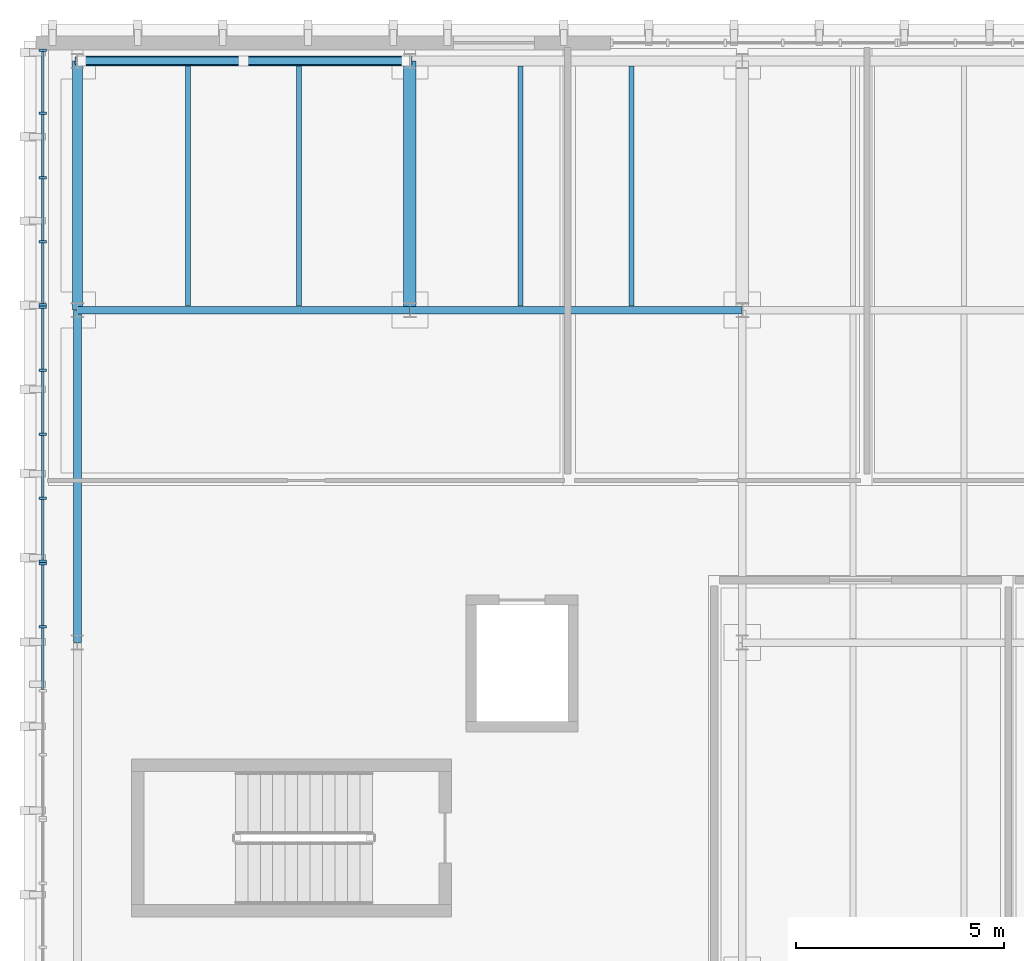
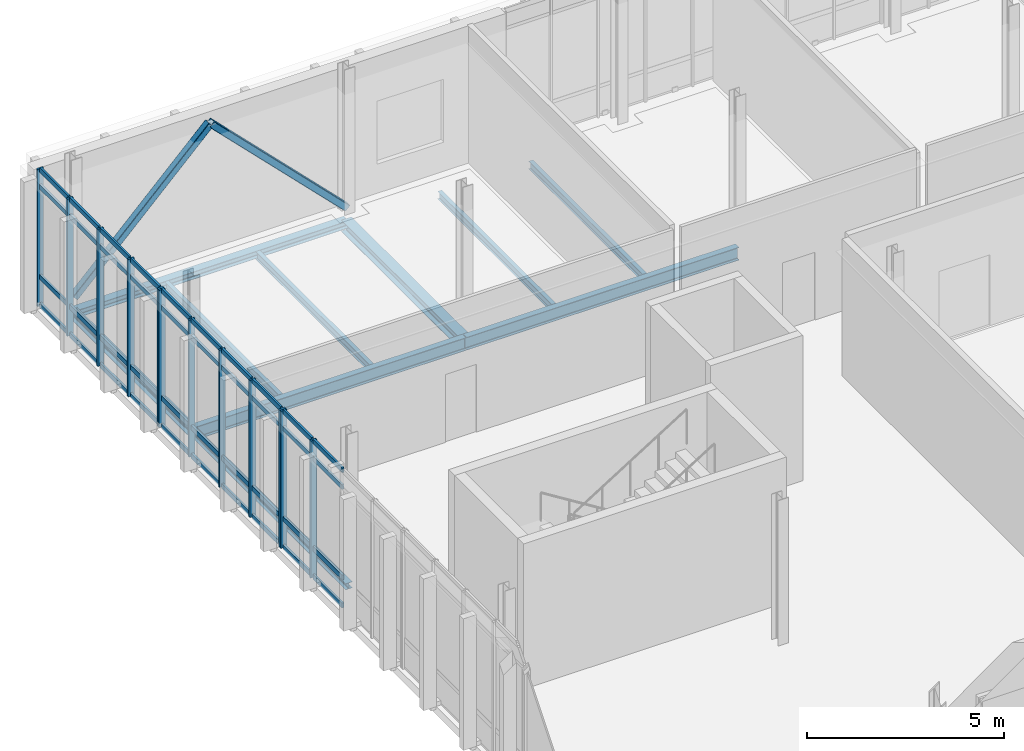
# One storey, part 35 of 86: 54 members, 10 beams, 3 elements without a shape of their own.
"""IFC4 building model written with IfcOpenShell, lengths in metres."""

from ifc_helpers import new_model, si_unit, direction, frame, origin, origin_2d, place, context, subcontext, project, spatial, rectangle, hollow_rectangle, i_section, extrude, material, material_profile, profile_set, type_object, element, aggregate, save


model = new_model("IFC4")

# Units and contexts
model_context = context("Model", 3, precision=1e-05, world=origin(), true_north=direction((0.0, 1.0)))
body_context = subcontext(model_context, "Body", "Model", "MODEL_VIEW")
ifc_project = project(units=[si_unit("LENGTHUNIT", "METRE"), si_unit("AREAUNIT", "SQUARE_METRE"), si_unit("VOLUMEUNIT", "CUBIC_METRE"), si_unit("PLANEANGLEUNIT", "RADIAN"), si_unit("MASSUNIT", "GRAM", prefix="KILO")], contexts=[model_context])

# Site, building, storey
site_placement = place(None, origin())
site = spatial("IfcSite", under=ifc_project, at=site_placement, CompositionType="ELEMENT")
building_placement = place(site_placement, origin())
building = spatial("IfcBuilding", under=site, at=building_placement, Name="Cymarion Research Institute", CompositionType="ELEMENT")
storey_placement = place(building_placement, frame((0.0, 0.0, 13.800048828125)))
storey = spatial("IfcBuildingStorey", under=building, at=storey_placement, Name="L03", CompositionType="ELEMENT", Elevation=13.800048828125)

# Curtain wall, members
ifc_material_1 = material(Name="Anodised aluminium unitised curtain wall with Low-E glazing", Category="aluminium")
curtain_wall_type = type_object("IfcCurtainWallType", Name="UNITISED CURTAIN WALL CW22 6180X4250", PredefinedType="NOTDEFINED", material=ifc_material_1)
curtain_wall_1_placement = place(storey_placement, origin())
curtain_wall_1 = element("IfcCurtainWall", 1, at=curtain_wall_1_placement, inside=storey, type_object=curtain_wall_type, Name="L03 V5 unitised curtain wall CW22 #164", PredefinedType="NOTDEFINED")
ifc_material_2 = material(Name="Anodised aluminium framing", Category="aluminium")
ifc_material_profile_1 = material_profile(ifc_material_2, rectangle(XDim=0.06005859375, YDim=0.179931640625, at=origin_2d()), Name="ALU MULLION 60x180")
ifc_profile_set_1 = profile_set([ifc_material_profile_1], Name="Anodised aluminium framing")
member_type_1 = type_object("IfcMemberType", Name="CURTAIN WALL MULLION ML01 60X180", PredefinedType="MULLION", material=ifc_profile_set_1)
member_1_placement = place(storey_placement, frame((5.77001953125, 115.748046875, 0.0), z_axis=(0.0, 0.0, 1.0), x_axis=(0.0, -1.0, 0.0)))
member_1 = element("IfcMember", 2, at=member_1_placement, type_object=member_type_1, Name="CW22 mullion 1", PredefinedType="MULLION", context=body_context, shape_type="SweptSolid", body=[
    extrude(rectangle(XDim=0.06005859375, YDim=0.179931640625, at=origin_2d()), origin(), (0.0, 0.0, 1.0), 4.25),
])
member_2_placement = place(storey_placement, frame((5.77001953125, 114.234130859375, 0.0), z_axis=(0.0, 0.0, 1.0), x_axis=(0.0, -1.0, 0.0)))
member_2 = element("IfcMember", 3, at=member_2_placement, type_object=member_type_1, Name="CW22 mullion 2", PredefinedType="MULLION", context=body_context, shape_type="SweptSolid", body=[
    extrude(rectangle(XDim=0.06005859375, YDim=0.179931640625, at=origin_2d()), origin(), (0.0, 0.0, 1.0), 4.25),
])
member_3_placement = place(storey_placement, frame((5.77001953125, 112.690185546875, 0.0), z_axis=(0.0, 0.0, 1.0), x_axis=(0.0, -1.0, 0.0)))
member_3 = element("IfcMember", 4, at=member_3_placement, type_object=member_type_1, Name="CW22 mullion 3", PredefinedType="MULLION", context=body_context, shape_type="SweptSolid", body=[
    extrude(rectangle(XDim=0.06005859375, YDim=0.179931640625, at=origin_2d()), origin(), (0.0, 0.0, 1.0), 4.25),
])
member_4_placement = place(storey_placement, frame((5.77001953125, 111.146240234375, 0.0), z_axis=(0.0, 0.0, 1.0), x_axis=(0.0, -1.0, 0.0)))
member_4 = element("IfcMember", 5, at=member_4_placement, type_object=member_type_1, Name="CW22 mullion 4", PredefinedType="MULLION", context=body_context, shape_type="SweptSolid", body=[
    extrude(rectangle(XDim=0.06005859375, YDim=0.179931640625, at=origin_2d()), origin(), (0.0, 0.0, 1.0), 4.25),
])
member_5_placement = place(storey_placement, frame((5.77001953125, 109.63232421875, 0.0), z_axis=(0.0, 0.0, 1.0), x_axis=(0.0, -1.0, 0.0)))
member_5 = element("IfcMember", 6, at=member_5_placement, type_object=member_type_1, Name="CW22 mullion 5", PredefinedType="MULLION", context=body_context, shape_type="SweptSolid", body=[
    extrude(rectangle(XDim=0.06005859375, YDim=0.179931640625, at=origin_2d()), origin(), (0.0, 0.0, 1.0), 4.25),
])

curtain_wall_2_placement = place(storey_placement, origin())
curtain_wall_2 = element("IfcCurtainWall", 7, at=curtain_wall_2_placement, inside=storey, type_object=curtain_wall_type, Name="L03 V5 unitised curtain wall CW22 #165", PredefinedType="NOTDEFINED")
member_6_placement = place(storey_placement, frame((5.77001953125, 109.572509765625, 0.0), z_axis=(0.0, 0.0, 1.0), x_axis=(0.0, -1.0, 0.0)))
member_6 = element("IfcMember", 8, at=member_6_placement, type_object=member_type_1, Name="CW22 mullion 1", PredefinedType="MULLION", context=body_context, shape_type="SweptSolid", body=[
    extrude(rectangle(XDim=0.06005859375, YDim=0.179931640625, at=origin_2d()), origin(), (0.0, 0.0, 1.0), 4.25),
])
member_7_placement = place(storey_placement, frame((5.77001953125, 108.05859375, 0.0), z_axis=(0.0, 0.0, 1.0), x_axis=(0.0, -1.0, 0.0)))
member_7 = element("IfcMember", 9, at=member_7_placement, type_object=member_type_1, Name="CW22 mullion 2", PredefinedType="MULLION", context=body_context, shape_type="SweptSolid", body=[
    extrude(rectangle(XDim=0.06005859375, YDim=0.179931640625, at=origin_2d()), origin(), (0.0, 0.0, 1.0), 4.25),
])
member_8_placement = place(storey_placement, frame((5.77001953125, 106.5146484375, 0.0), z_axis=(0.0, 0.0, 1.0), x_axis=(0.0, -1.0, 0.0)))
member_8 = element("IfcMember", 10, at=member_8_placement, type_object=member_type_1, Name="CW22 mullion 3", PredefinedType="MULLION", context=body_context, shape_type="SweptSolid", body=[
    extrude(rectangle(XDim=0.06005859375, YDim=0.179931640625, at=origin_2d()), origin(), (0.0, 0.0, 1.0), 4.25),
])
member_9_placement = place(storey_placement, frame((5.77001953125, 104.970703125, 0.0), z_axis=(0.0, 0.0, 1.0), x_axis=(0.0, -1.0, 0.0)))
member_9 = element("IfcMember", 11, at=member_9_placement, type_object=member_type_1, Name="CW22 mullion 4", PredefinedType="MULLION", context=body_context, shape_type="SweptSolid", body=[
    extrude(rectangle(XDim=0.06005859375, YDim=0.179931640625, at=origin_2d()), origin(), (0.0, 0.0, 1.0), 4.25),
])
member_10_placement = place(storey_placement, frame((5.77001953125, 103.456787109375, 0.0), z_axis=(0.0, 0.0, 1.0), x_axis=(0.0, -1.0, 0.0)))
member_10 = element("IfcMember", 12, at=member_10_placement, type_object=member_type_1, Name="CW22 mullion 5", PredefinedType="MULLION", context=body_context, shape_type="SweptSolid", body=[
    extrude(rectangle(XDim=0.06005859375, YDim=0.179931640625, at=origin_2d()), origin(), (0.0, 0.0, 1.0), 4.25),
])

curtain_wall_3_placement = place(storey_placement, origin())
curtain_wall_3 = element("IfcCurtainWall", 13, at=curtain_wall_3_placement, inside=storey, type_object=curtain_wall_type, Name="L03 V5 unitised curtain wall CW22 #166", PredefinedType="NOTDEFINED")
member_11_placement = place(storey_placement, frame((5.77001953125, 103.396728515625, 0.0), z_axis=(0.0, 0.0, 1.0), x_axis=(0.0, -1.0, 0.0)))
member_11 = element("IfcMember", 14, at=member_11_placement, type_object=member_type_1, Name="CW22 mullion 1", PredefinedType="MULLION", context=body_context, shape_type="SweptSolid", body=[
    extrude(rectangle(XDim=0.06005859375, YDim=0.179931640625, at=origin_2d()), origin(), (0.0, 0.0, 1.0), 4.25),
])
member_12_placement = place(storey_placement, frame((5.77001953125, 101.8828125, 0.0), z_axis=(0.0, 0.0, 1.0), x_axis=(0.0, -1.0, 0.0)))
member_12 = element("IfcMember", 15, at=member_12_placement, type_object=member_type_1, Name="CW22 mullion 2", PredefinedType="MULLION", context=body_context, shape_type="SweptSolid", body=[
    extrude(rectangle(XDim=0.06005859375, YDim=0.179931640625, at=origin_2d()), origin(), (0.0, 0.0, 1.0), 4.25),
])

# Member
ifc_material_profile_2 = material_profile(ifc_material_2, rectangle(XDim=0.06005859375, YDim=0.14990234375, at=origin_2d()), Name="ALU TRANSOM 60x150")
ifc_profile_set_2 = profile_set([ifc_material_profile_2], Name="Anodised aluminium framing")
member_type_2 = type_object("IfcMemberType", Name="CURTAIN WALL TRANSOM TR01 60X150", PredefinedType="USERDEFINED", material=ifc_profile_set_2)
member_13_placement = place(storey_placement, frame((5.77001953125, 115.718017578125, 0.030029296875), z_axis=(0.0, -1.0, 0.0), x_axis=(1.0, 0.0, 0.0)))
member_13 = element("IfcMember", 16, at=member_13_placement, type_object=member_type_2, Name="CW22 transom 1.1", ObjectType="TRANSOM", PredefinedType="USERDEFINED", context=body_context, shape_type="SweptSolid", body=[
    extrude(rectangle(XDim=0.06005859375, YDim=0.14990234375, at=origin_2d()), origin(), (0.0, 0.0, 1.0), 1.453857421875),
])

member_14_placement = place(storey_placement, frame((5.77001953125, 115.718017578125, 0.89990234375), z_axis=(0.0, -1.0, 0.0), x_axis=(1.0, 0.0, 0.0)))
member_14 = element("IfcMember", 17, at=member_14_placement, type_object=member_type_2, Name="CW22 transom 1.2", ObjectType="TRANSOM", PredefinedType="USERDEFINED", context=body_context, shape_type="SweptSolid", body=[
    extrude(rectangle(XDim=0.06005859375, YDim=0.14990234375, at=origin_2d()), origin(), (0.0, 0.0, 1.0), 1.453857421875),
])

member_15_placement = place(storey_placement, frame((5.77001953125, 115.718017578125, 3.699951171875), z_axis=(0.0, -1.0, 0.0), x_axis=(1.0, 0.0, 0.0)))
member_15 = element("IfcMember", 18, at=member_15_placement, type_object=member_type_2, Name="CW22 transom 1.3", ObjectType="TRANSOM", PredefinedType="USERDEFINED", context=body_context, shape_type="SweptSolid", body=[
    extrude(rectangle(XDim=0.06005859375, YDim=0.14990234375, at=origin_2d()), origin(), (0.0, 0.0, 1.0), 1.453857421875),
])

member_16_placement = place(storey_placement, frame((5.77001953125, 115.718017578125, 4.219970703125), z_axis=(0.0, -1.0, 0.0), x_axis=(1.0, 0.0, 0.0)))
member_16 = element("IfcMember", 19, at=member_16_placement, type_object=member_type_2, Name="CW22 transom 1.4", ObjectType="TRANSOM", PredefinedType="USERDEFINED", context=body_context, shape_type="SweptSolid", body=[
    extrude(rectangle(XDim=0.06005859375, YDim=0.14990234375, at=origin_2d()), origin(), (0.0, 0.0, 1.0), 1.453857421875),
])

member_17_placement = place(storey_placement, frame((5.77001953125, 114.2041015625, 0.030029296875), z_axis=(0.0, -1.0, 0.0), x_axis=(1.0, 0.0, 0.0)))
member_17 = element("IfcMember", 20, at=member_17_placement, type_object=member_type_2, Name="CW22 transom 2.1", ObjectType="TRANSOM", PredefinedType="USERDEFINED", context=body_context, shape_type="SweptSolid", body=[
    extrude(rectangle(XDim=0.06005859375, YDim=0.14990234375, at=origin_2d()), origin(), (0.0, 0.0, 1.0), 1.48388671875),
])

member_18_placement = place(storey_placement, frame((5.77001953125, 114.2041015625, 0.89990234375), z_axis=(0.0, -1.0, 0.0), x_axis=(1.0, 0.0, 0.0)))
member_18 = element("IfcMember", 21, at=member_18_placement, type_object=member_type_2, Name="CW22 transom 2.2", ObjectType="TRANSOM", PredefinedType="USERDEFINED", context=body_context, shape_type="SweptSolid", body=[
    extrude(rectangle(XDim=0.06005859375, YDim=0.14990234375, at=origin_2d()), origin(), (0.0, 0.0, 1.0), 1.48388671875),
])

member_19_placement = place(storey_placement, frame((5.77001953125, 114.2041015625, 3.699951171875), z_axis=(0.0, -1.0, 0.0), x_axis=(1.0, 0.0, 0.0)))
member_19 = element("IfcMember", 22, at=member_19_placement, type_object=member_type_2, Name="CW22 transom 2.3", ObjectType="TRANSOM", PredefinedType="USERDEFINED", context=body_context, shape_type="SweptSolid", body=[
    extrude(rectangle(XDim=0.06005859375, YDim=0.14990234375, at=origin_2d()), origin(), (0.0, 0.0, 1.0), 1.48388671875),
])

member_20_placement = place(storey_placement, frame((5.77001953125, 114.2041015625, 4.219970703125), z_axis=(0.0, -1.0, 0.0), x_axis=(1.0, 0.0, 0.0)))
member_20 = element("IfcMember", 23, at=member_20_placement, type_object=member_type_2, Name="CW22 transom 2.4", ObjectType="TRANSOM", PredefinedType="USERDEFINED", context=body_context, shape_type="SweptSolid", body=[
    extrude(rectangle(XDim=0.06005859375, YDim=0.14990234375, at=origin_2d()), origin(), (0.0, 0.0, 1.0), 1.48388671875),
])

member_21_placement = place(storey_placement, frame((5.77001953125, 112.66015625, 0.030029296875), z_axis=(0.0, -1.0, 0.0), x_axis=(1.0, 0.0, 0.0)))
member_21 = element("IfcMember", 24, at=member_21_placement, type_object=member_type_2, Name="CW22 transom 3.1", ObjectType="TRANSOM", PredefinedType="USERDEFINED", context=body_context, shape_type="SweptSolid", body=[
    extrude(rectangle(XDim=0.06005859375, YDim=0.14990234375, at=origin_2d()), origin(), (0.0, 0.0, 1.0), 1.48388671875),
])

member_22_placement = place(storey_placement, frame((5.77001953125, 112.66015625, 0.89990234375), z_axis=(0.0, -1.0, 0.0), x_axis=(1.0, 0.0, 0.0)))
member_22 = element("IfcMember", 25, at=member_22_placement, type_object=member_type_2, Name="CW22 transom 3.2", ObjectType="TRANSOM", PredefinedType="USERDEFINED", context=body_context, shape_type="SweptSolid", body=[
    extrude(rectangle(XDim=0.06005859375, YDim=0.14990234375, at=origin_2d()), origin(), (0.0, 0.0, 1.0), 1.48388671875),
])

member_23_placement = place(storey_placement, frame((5.77001953125, 112.66015625, 3.699951171875), z_axis=(0.0, -1.0, 0.0), x_axis=(1.0, 0.0, 0.0)))
member_23 = element("IfcMember", 26, at=member_23_placement, type_object=member_type_2, Name="CW22 transom 3.3", ObjectType="TRANSOM", PredefinedType="USERDEFINED", context=body_context, shape_type="SweptSolid", body=[
    extrude(rectangle(XDim=0.06005859375, YDim=0.14990234375, at=origin_2d()), origin(), (0.0, 0.0, 1.0), 1.48388671875),
])

member_24_placement = place(storey_placement, frame((5.77001953125, 112.66015625, 4.219970703125), z_axis=(0.0, -1.0, 0.0), x_axis=(1.0, 0.0, 0.0)))
member_24 = element("IfcMember", 27, at=member_24_placement, type_object=member_type_2, Name="CW22 transom 3.4", ObjectType="TRANSOM", PredefinedType="USERDEFINED", context=body_context, shape_type="SweptSolid", body=[
    extrude(rectangle(XDim=0.06005859375, YDim=0.14990234375, at=origin_2d()), origin(), (0.0, 0.0, 1.0), 1.48388671875),
])

member_25_placement = place(storey_placement, frame((5.77001953125, 111.1162109375, 0.030029296875), z_axis=(0.0, -1.0, 0.0), x_axis=(1.0, 0.0, 0.0)))
member_25 = element("IfcMember", 28, at=member_25_placement, type_object=member_type_2, Name="CW22 transom 4.1", ObjectType="TRANSOM", PredefinedType="USERDEFINED", context=body_context, shape_type="SweptSolid", body=[
    extrude(rectangle(XDim=0.06005859375, YDim=0.14990234375, at=origin_2d()), origin(), (0.0, 0.0, 1.0), 1.453857421875),
])

member_26_placement = place(storey_placement, frame((5.77001953125, 111.1162109375, 0.89990234375), z_axis=(0.0, -1.0, 0.0), x_axis=(1.0, 0.0, 0.0)))
member_26 = element("IfcMember", 29, at=member_26_placement, type_object=member_type_2, Name="CW22 transom 4.2", ObjectType="TRANSOM", PredefinedType="USERDEFINED", context=body_context, shape_type="SweptSolid", body=[
    extrude(rectangle(XDim=0.06005859375, YDim=0.14990234375, at=origin_2d()), origin(), (0.0, 0.0, 1.0), 1.453857421875),
])

member_27_placement = place(storey_placement, frame((5.77001953125, 111.1162109375, 3.699951171875), z_axis=(0.0, -1.0, 0.0), x_axis=(1.0, 0.0, 0.0)))
member_27 = element("IfcMember", 30, at=member_27_placement, type_object=member_type_2, Name="CW22 transom 4.3", ObjectType="TRANSOM", PredefinedType="USERDEFINED", context=body_context, shape_type="SweptSolid", body=[
    extrude(rectangle(XDim=0.06005859375, YDim=0.14990234375, at=origin_2d()), origin(), (0.0, 0.0, 1.0), 1.453857421875),
])

member_28_placement = place(storey_placement, frame((5.77001953125, 111.1162109375, 4.219970703125), z_axis=(0.0, -1.0, 0.0), x_axis=(1.0, 0.0, 0.0)))
member_28 = element("IfcMember", 31, at=member_28_placement, type_object=member_type_2, Name="CW22 transom 4.4", ObjectType="TRANSOM", PredefinedType="USERDEFINED", context=body_context, shape_type="SweptSolid", body=[
    extrude(rectangle(XDim=0.06005859375, YDim=0.14990234375, at=origin_2d()), origin(), (0.0, 0.0, 1.0), 1.453857421875),
])

aggregate(curtain_wall_1, [member_1, member_2, member_3, member_4, member_5, member_13, member_14, member_15, member_16, member_17, member_18, member_19, member_20, member_21, member_22, member_23, member_24, member_25, member_26, member_27, member_28])

member_29_placement = place(storey_placement, frame((5.77001953125, 109.54248046875, 0.030029296875), z_axis=(0.0, -1.0, 0.0), x_axis=(1.0, 0.0, 0.0)))
member_29 = element("IfcMember", 32, at=member_29_placement, type_object=member_type_2, Name="CW22 transom 1.1", ObjectType="TRANSOM", PredefinedType="USERDEFINED", context=body_context, shape_type="SweptSolid", body=[
    extrude(rectangle(XDim=0.06005859375, YDim=0.14990234375, at=origin_2d()), origin(), (0.0, 0.0, 1.0), 1.4541015625),
])

member_30_placement = place(storey_placement, frame((5.77001953125, 109.54248046875, 0.89990234375), z_axis=(0.0, -1.0, 0.0), x_axis=(1.0, 0.0, 0.0)))
member_30 = element("IfcMember", 33, at=member_30_placement, type_object=member_type_2, Name="CW22 transom 1.2", ObjectType="TRANSOM", PredefinedType="USERDEFINED", context=body_context, shape_type="SweptSolid", body=[
    extrude(rectangle(XDim=0.06005859375, YDim=0.14990234375, at=origin_2d()), origin(), (0.0, 0.0, 1.0), 1.4541015625),
])

member_31_placement = place(storey_placement, frame((5.77001953125, 109.54248046875, 3.699951171875), z_axis=(0.0, -1.0, 0.0), x_axis=(1.0, 0.0, 0.0)))
member_31 = element("IfcMember", 34, at=member_31_placement, type_object=member_type_2, Name="CW22 transom 1.3", ObjectType="TRANSOM", PredefinedType="USERDEFINED", context=body_context, shape_type="SweptSolid", body=[
    extrude(rectangle(XDim=0.06005859375, YDim=0.14990234375, at=origin_2d()), origin(), (0.0, 0.0, 1.0), 1.4541015625),
])

member_32_placement = place(storey_placement, frame((5.77001953125, 109.54248046875, 4.219970703125), z_axis=(0.0, -1.0, 0.0), x_axis=(1.0, 0.0, 0.0)))
member_32 = element("IfcMember", 35, at=member_32_placement, type_object=member_type_2, Name="CW22 transom 1.4", ObjectType="TRANSOM", PredefinedType="USERDEFINED", context=body_context, shape_type="SweptSolid", body=[
    extrude(rectangle(XDim=0.06005859375, YDim=0.14990234375, at=origin_2d()), origin(), (0.0, 0.0, 1.0), 1.4541015625),
])

member_33_placement = place(storey_placement, frame((5.77001953125, 108.028564453125, 0.030029296875), z_axis=(0.0, -1.0, 0.0), x_axis=(1.0, 0.0, 0.0)))
member_33 = element("IfcMember", 36, at=member_33_placement, type_object=member_type_2, Name="CW22 transom 2.1", ObjectType="TRANSOM", PredefinedType="USERDEFINED", context=body_context, shape_type="SweptSolid", body=[
    extrude(rectangle(XDim=0.06005859375, YDim=0.14990234375, at=origin_2d()), origin(), (0.0, 0.0, 1.0), 1.48388671875),
])

member_34_placement = place(storey_placement, frame((5.77001953125, 108.028564453125, 0.89990234375), z_axis=(0.0, -1.0, 0.0), x_axis=(1.0, 0.0, 0.0)))
member_34 = element("IfcMember", 37, at=member_34_placement, type_object=member_type_2, Name="CW22 transom 2.2", ObjectType="TRANSOM", PredefinedType="USERDEFINED", context=body_context, shape_type="SweptSolid", body=[
    extrude(rectangle(XDim=0.06005859375, YDim=0.14990234375, at=origin_2d()), origin(), (0.0, 0.0, 1.0), 1.48388671875),
])

member_35_placement = place(storey_placement, frame((5.77001953125, 108.028564453125, 3.699951171875), z_axis=(0.0, -1.0, 0.0), x_axis=(1.0, 0.0, 0.0)))
member_35 = element("IfcMember", 38, at=member_35_placement, type_object=member_type_2, Name="CW22 transom 2.3", ObjectType="TRANSOM", PredefinedType="USERDEFINED", context=body_context, shape_type="SweptSolid", body=[
    extrude(rectangle(XDim=0.06005859375, YDim=0.14990234375, at=origin_2d()), origin(), (0.0, 0.0, 1.0), 1.48388671875),
])

member_36_placement = place(storey_placement, frame((5.77001953125, 108.028564453125, 4.219970703125), z_axis=(0.0, -1.0, 0.0), x_axis=(1.0, 0.0, 0.0)))
member_36 = element("IfcMember", 39, at=member_36_placement, type_object=member_type_2, Name="CW22 transom 2.4", ObjectType="TRANSOM", PredefinedType="USERDEFINED", context=body_context, shape_type="SweptSolid", body=[
    extrude(rectangle(XDim=0.06005859375, YDim=0.14990234375, at=origin_2d()), origin(), (0.0, 0.0, 1.0), 1.48388671875),
])

member_37_placement = place(storey_placement, frame((5.77001953125, 106.484619140625, 0.030029296875), z_axis=(0.0, -1.0, 0.0), x_axis=(1.0, 0.0, 0.0)))
member_37 = element("IfcMember", 40, at=member_37_placement, type_object=member_type_2, Name="CW22 transom 3.1", ObjectType="TRANSOM", PredefinedType="USERDEFINED", context=body_context, shape_type="SweptSolid", body=[
    extrude(rectangle(XDim=0.06005859375, YDim=0.14990234375, at=origin_2d()), origin(), (0.0, 0.0, 1.0), 1.48388671875),
])

member_38_placement = place(storey_placement, frame((5.77001953125, 106.484619140625, 0.89990234375), z_axis=(0.0, -1.0, 0.0), x_axis=(1.0, 0.0, 0.0)))
member_38 = element("IfcMember", 41, at=member_38_placement, type_object=member_type_2, Name="CW22 transom 3.2", ObjectType="TRANSOM", PredefinedType="USERDEFINED", context=body_context, shape_type="SweptSolid", body=[
    extrude(rectangle(XDim=0.06005859375, YDim=0.14990234375, at=origin_2d()), origin(), (0.0, 0.0, 1.0), 1.48388671875),
])

member_39_placement = place(storey_placement, frame((5.77001953125, 106.484619140625, 3.699951171875), z_axis=(0.0, -1.0, 0.0), x_axis=(1.0, 0.0, 0.0)))
member_39 = element("IfcMember", 42, at=member_39_placement, type_object=member_type_2, Name="CW22 transom 3.3", ObjectType="TRANSOM", PredefinedType="USERDEFINED", context=body_context, shape_type="SweptSolid", body=[
    extrude(rectangle(XDim=0.06005859375, YDim=0.14990234375, at=origin_2d()), origin(), (0.0, 0.0, 1.0), 1.48388671875),
])

member_40_placement = place(storey_placement, frame((5.77001953125, 106.484619140625, 4.219970703125), z_axis=(0.0, -1.0, 0.0), x_axis=(1.0, 0.0, 0.0)))
member_40 = element("IfcMember", 43, at=member_40_placement, type_object=member_type_2, Name="CW22 transom 3.4", ObjectType="TRANSOM", PredefinedType="USERDEFINED", context=body_context, shape_type="SweptSolid", body=[
    extrude(rectangle(XDim=0.06005859375, YDim=0.14990234375, at=origin_2d()), origin(), (0.0, 0.0, 1.0), 1.48388671875),
])

member_41_placement = place(storey_placement, frame((5.77001953125, 104.940673828125, 0.030029296875), z_axis=(0.0, -1.0, 0.0), x_axis=(1.0, 0.0, 0.0)))
member_41 = element("IfcMember", 44, at=member_41_placement, type_object=member_type_2, Name="CW22 transom 4.1", ObjectType="TRANSOM", PredefinedType="USERDEFINED", context=body_context, shape_type="SweptSolid", body=[
    extrude(rectangle(XDim=0.06005859375, YDim=0.14990234375, at=origin_2d()), origin(), (0.0, 0.0, 1.0), 1.453857421875),
])

member_42_placement = place(storey_placement, frame((5.77001953125, 104.940673828125, 0.89990234375), z_axis=(0.0, -1.0, 0.0), x_axis=(1.0, 0.0, 0.0)))
member_42 = element("IfcMember", 45, at=member_42_placement, type_object=member_type_2, Name="CW22 transom 4.2", ObjectType="TRANSOM", PredefinedType="USERDEFINED", context=body_context, shape_type="SweptSolid", body=[
    extrude(rectangle(XDim=0.06005859375, YDim=0.14990234375, at=origin_2d()), origin(), (0.0, 0.0, 1.0), 1.453857421875),
])

member_43_placement = place(storey_placement, frame((5.77001953125, 104.940673828125, 3.699951171875), z_axis=(0.0, -1.0, 0.0), x_axis=(1.0, 0.0, 0.0)))
member_43 = element("IfcMember", 46, at=member_43_placement, type_object=member_type_2, Name="CW22 transom 4.3", ObjectType="TRANSOM", PredefinedType="USERDEFINED", context=body_context, shape_type="SweptSolid", body=[
    extrude(rectangle(XDim=0.06005859375, YDim=0.14990234375, at=origin_2d()), origin(), (0.0, 0.0, 1.0), 1.453857421875),
])

member_44_placement = place(storey_placement, frame((5.77001953125, 104.940673828125, 4.219970703125), z_axis=(0.0, -1.0, 0.0), x_axis=(1.0, 0.0, 0.0)))
member_44 = element("IfcMember", 47, at=member_44_placement, type_object=member_type_2, Name="CW22 transom 4.4", ObjectType="TRANSOM", PredefinedType="USERDEFINED", context=body_context, shape_type="SweptSolid", body=[
    extrude(rectangle(XDim=0.06005859375, YDim=0.14990234375, at=origin_2d()), origin(), (0.0, 0.0, 1.0), 1.453857421875),
])

aggregate(curtain_wall_2, [member_6, member_7, member_8, member_9, member_10, member_29, member_30, member_31, member_32, member_33, member_34, member_35, member_36, member_37, member_38, member_39, member_40, member_41, member_42, member_43, member_44])

member_45_placement = place(storey_placement, frame((5.77001953125, 103.36669921875, 0.030029296875), z_axis=(0.0, -1.0, 0.0), x_axis=(1.0, 0.0, 0.0)))
member_45 = element("IfcMember", 48, at=member_45_placement, type_object=member_type_2, Name="CW22 transom 1.1", ObjectType="TRANSOM", PredefinedType="USERDEFINED", context=body_context, shape_type="SweptSolid", body=[
    extrude(rectangle(XDim=0.06005859375, YDim=0.14990234375, at=origin_2d()), origin(), (0.0, 0.0, 1.0), 1.453857421875),
])

member_46_placement = place(storey_placement, frame((5.77001953125, 103.36669921875, 0.89990234375), z_axis=(0.0, -1.0, 0.0), x_axis=(1.0, 0.0, 0.0)))
member_46 = element("IfcMember", 49, at=member_46_placement, type_object=member_type_2, Name="CW22 transom 1.2", ObjectType="TRANSOM", PredefinedType="USERDEFINED", context=body_context, shape_type="SweptSolid", body=[
    extrude(rectangle(XDim=0.06005859375, YDim=0.14990234375, at=origin_2d()), origin(), (0.0, 0.0, 1.0), 1.453857421875),
])

member_47_placement = place(storey_placement, frame((5.77001953125, 103.36669921875, 3.699951171875), z_axis=(0.0, -1.0, 0.0), x_axis=(1.0, 0.0, 0.0)))
member_47 = element("IfcMember", 50, at=member_47_placement, type_object=member_type_2, Name="CW22 transom 1.3", ObjectType="TRANSOM", PredefinedType="USERDEFINED", context=body_context, shape_type="SweptSolid", body=[
    extrude(rectangle(XDim=0.06005859375, YDim=0.14990234375, at=origin_2d()), origin(), (0.0, 0.0, 1.0), 1.453857421875),
])

member_48_placement = place(storey_placement, frame((5.77001953125, 103.36669921875, 4.219970703125), z_axis=(0.0, -1.0, 0.0), x_axis=(1.0, 0.0, 0.0)))
member_48 = element("IfcMember", 51, at=member_48_placement, type_object=member_type_2, Name="CW22 transom 1.4", ObjectType="TRANSOM", PredefinedType="USERDEFINED", context=body_context, shape_type="SweptSolid", body=[
    extrude(rectangle(XDim=0.06005859375, YDim=0.14990234375, at=origin_2d()), origin(), (0.0, 0.0, 1.0), 1.453857421875),
])

member_49_placement = place(storey_placement, frame((5.77001953125, 101.852783203125, 0.030029296875), z_axis=(0.0, -1.0, 0.0), x_axis=(1.0, 0.0, 0.0)))
member_49 = element("IfcMember", 52, at=member_49_placement, type_object=member_type_2, Name="CW22 transom 2.1", ObjectType="TRANSOM", PredefinedType="USERDEFINED", context=body_context, shape_type="SweptSolid", body=[
    extrude(rectangle(XDim=0.06005859375, YDim=0.14990234375, at=origin_2d()), origin(), (0.0, 0.0, 1.0), 1.48388671875),
])

member_50_placement = place(storey_placement, frame((5.77001953125, 101.852783203125, 0.89990234375), z_axis=(0.0, -1.0, 0.0), x_axis=(1.0, 0.0, 0.0)))
member_50 = element("IfcMember", 53, at=member_50_placement, type_object=member_type_2, Name="CW22 transom 2.2", ObjectType="TRANSOM", PredefinedType="USERDEFINED", context=body_context, shape_type="SweptSolid", body=[
    extrude(rectangle(XDim=0.06005859375, YDim=0.14990234375, at=origin_2d()), origin(), (0.0, 0.0, 1.0), 1.48388671875),
])

member_51_placement = place(storey_placement, frame((5.77001953125, 101.852783203125, 3.699951171875), z_axis=(0.0, -1.0, 0.0), x_axis=(1.0, 0.0, 0.0)))
member_51 = element("IfcMember", 54, at=member_51_placement, type_object=member_type_2, Name="CW22 transom 2.3", ObjectType="TRANSOM", PredefinedType="USERDEFINED", context=body_context, shape_type="SweptSolid", body=[
    extrude(rectangle(XDim=0.06005859375, YDim=0.14990234375, at=origin_2d()), origin(), (0.0, 0.0, 1.0), 1.48388671875),
])

member_52_placement = place(storey_placement, frame((5.77001953125, 101.852783203125, 4.219970703125), z_axis=(0.0, -1.0, 0.0), x_axis=(1.0, 0.0, 0.0)))
member_52 = element("IfcMember", 55, at=member_52_placement, type_object=member_type_2, Name="CW22 transom 2.4", ObjectType="TRANSOM", PredefinedType="USERDEFINED", context=body_context, shape_type="SweptSolid", body=[
    extrude(rectangle(XDim=0.06005859375, YDim=0.14990234375, at=origin_2d()), origin(), (0.0, 0.0, 1.0), 1.48388671875),
])

aggregate(curtain_wall_3, [member_11, member_12, member_45, member_46, member_47, member_48, member_49, member_50, member_51, member_52])

# Beams
ifc_material_3 = material(Name="Steel S355", Category="steel")
ifc_material_profile_3 = material_profile(ifc_material_3, i_section(OverallWidth=0.179931640625, OverallDepth=0.39990234375, WebThickness=0.008544921875, FlangeThickness=0.013427734375, FilletRadius=0.02099609375, at=origin_2d()), Name="IPE 400")
ifc_profile_set_3 = profile_set([ifc_material_profile_3], Name="Steel S355")
beam_type_1 = type_object("IfcBeamType", Name="PRIMARY GIRDER BM05 IPE 400", PredefinedType="BEAM", material=ifc_profile_set_3)
for number, where, z_axis, x_axis, name in (
    (56, (6.60595703125, 109.5, -0.449951171875), (1.0, 0.0, 0.0), (0.0, 1.0, 0.0), "L03 V5 girder BM05 #1536"),
    (57, (14.60595703125, 109.5, -0.449951171875), (1.0, 0.0, 0.0), (0.0, 1.0, 0.0), "L03 V5 girder BM05 #1537"),
):
    element("IfcBeam", number, at=place(storey_placement, frame(where, z_axis=z_axis, x_axis=x_axis)), inside=storey, type_object=beam_type_1, Name=name, PredefinedType="BEAM", context=body_context, shape_type="SweptSolid", body=[
        extrude(i_section(OverallWidth=0.179931640625, OverallDepth=0.39990234375, WebThickness=0.008544921875, FlangeThickness=0.013427734375, FilletRadius=0.02099609375, at=origin_2d()), origin(), (0.0, 0.0, 1.0), 7.988037109375),
    ])
ifc_material_profile_4 = material_profile(ifc_material_3, i_section(OverallWidth=0.300048828125, OverallDepth=0.35009765625, WebThickness=0.010009765625, FlangeThickness=0.017578125, FilletRadius=0.027099609375, at=origin_2d()), Name="HEA 360")
ifc_profile_set_4 = profile_set([ifc_material_profile_4], Name="Steel S355")
beam_type_2 = type_object("IfcBeamType", Name="PRIMARY GIRDER BM12 HEA 360", PredefinedType="BEAM", material=ifc_profile_set_4)
beam_1_placement = place(storey_placement, frame((14.60009765625, 109.506103515625, -0.425048828125), z_axis=(0.0, 1.0, 0.0), x_axis=(-1.0, 0.0, 0.0)))
element("IfcBeam", 58, at=beam_1_placement, inside=storey, type_object=beam_type_2, Name="L03 V5 girder BM12 #1551", PredefinedType="BEAM", context=body_context, shape_type="SweptSolid", body=[
    extrude(i_section(OverallWidth=0.300048828125, OverallDepth=0.35009765625, WebThickness=0.010009765625, FlangeThickness=0.017578125, FilletRadius=0.027099609375, at=origin_2d()), origin(), (0.0, 0.0, 1.0), 5.98779296875),
])
ifc_material_profile_5 = material_profile(ifc_material_3, i_section(OverallWidth=0.1201171875, OverallDepth=0.239990234375, WebThickness=0.006103515625, FlangeThickness=0.009765625, FilletRadius=0.014892578125, at=origin_2d()), Name="IPE 240")
ifc_profile_set_5 = profile_set([ifc_material_profile_5], Name="Steel S355")
beam_type_3 = type_object("IfcBeamType", Name="SECONDARY JOIST JS04 IPE 240", PredefinedType="JOIST", material=ifc_profile_set_5)
for number, where, z_axis, x_axis, name in (
    (59, (9.2666015625, 109.593994140625, -0.3701171875), (0.0, 1.0, 0.0), (-1.0, 0.0, 0.0), "L03 V5 secondary joist JS04 #1584"),
    (60, (11.933349609375, 109.593994140625, -0.3701171875), (0.0, 1.0, 0.0), (-1.0, 0.0, 0.0), "L03 V5 secondary joist JS04 #1585"),
    (61, (17.2666015625, 109.593994140625, -0.3701171875), (0.0, 1.0, 0.0), (-1.0, 0.0, 0.0), "L03 V5 secondary joist JS04 #1586"),
    (62, (19.933349609375, 109.593994140625, -0.3701171875), (0.0, 1.0, 0.0), (-1.0, 0.0, 0.0), "L03 V5 secondary joist JS04 #1587"),
):
    element("IfcBeam", number, at=place(storey_placement, frame(where, z_axis=z_axis, x_axis=x_axis)), inside=storey, type_object=beam_type_3, Name=name, PredefinedType="JOIST", context=body_context, shape_type="SweptSolid", body=[
        extrude(i_section(OverallWidth=0.1201171875, OverallDepth=0.239990234375, WebThickness=0.006103515625, FlangeThickness=0.009765625, FilletRadius=0.014892578125, at=origin_2d()), origin(), (0.0, 0.0, 1.0), 5.781982421875),
    ])
ifc_material_profile_6 = material_profile(ifc_material_3, i_section(OverallWidth=0.239990234375, OverallDepth=0.22998046875, WebThickness=0.007568359375, FlangeThickness=0.011962890625, FilletRadius=0.02099609375, at=origin_2d()), Name="HEA 240")
ifc_profile_set_6 = profile_set([ifc_material_profile_6], Name="Steel S355")
beam_type_4 = type_object("IfcBeamType", Name="SPANDREL BEAM SPB03 HEA 240", PredefinedType="SPANDREL", material=ifc_profile_set_6)
beam_2_placement = place(storey_placement, frame((6.60595703125, 115.5, -0.364990234375), z_axis=(1.0, 0.0, 0.0), x_axis=(0.0, 1.0, 0.0)))
element("IfcBeam", 63, at=beam_2_placement, inside=storey, type_object=beam_type_4, Name="L03 V5 girder SPB03 #1541", PredefinedType="SPANDREL", context=body_context, shape_type="SweptSolid", body=[
    extrude(i_section(OverallWidth=0.239990234375, OverallDepth=0.22998046875, WebThickness=0.007568359375, FlangeThickness=0.011962890625, FilletRadius=0.02099609375, at=origin_2d()), origin(), (0.0, 0.0, 1.0), 7.988037109375),
])
beam_3_placement = place(storey_placement, frame((6.60009765625, 109.506103515625, -0.364990234375), z_axis=(0.0, 1.0, 0.0), x_axis=(-1.0, 0.0, 0.0)))
element("IfcBeam", 64, at=beam_3_placement, inside=storey, type_object=beam_type_4, Name="L03 V5 girder SPB03 #1549", PredefinedType="SPANDREL", context=body_context, shape_type="SweptSolid", body=[
    extrude(i_section(OverallWidth=0.239990234375, OverallDepth=0.22998046875, WebThickness=0.007568359375, FlangeThickness=0.011962890625, FilletRadius=0.02099609375, at=origin_2d()), origin(), (0.0, 0.0, 1.0), 5.98779296875),
])
ifc_material_profile_7 = material_profile(ifc_material_3, i_section(OverallWidth=0.199951171875, OverallDepth=0.18994140625, WebThickness=0.006591796875, FlangeThickness=0.010009765625, FilletRadius=0.01806640625, at=origin_2d()), Name="HEA 200")
ifc_profile_set_7 = profile_set([ifc_material_profile_7], Name="Steel S355")
beam_type_5 = type_object("IfcBeamType", Name="SPANDREL BEAM SPB04 HEA 200", PredefinedType="SPANDREL", material=ifc_profile_set_7)
beam_4_placement = place(storey_placement, frame((6.60009765625, 101.506103515625, -0.344970703125), z_axis=(0.0, 1.0, 0.0), x_axis=(-1.0, 0.0, 0.0)))
element("IfcBeam", 65, at=beam_4_placement, inside=storey, type_object=beam_type_5, Name="L03 V5 girder SPB04 #1548", PredefinedType="SPANDREL", context=body_context, shape_type="SweptSolid", body=[
    extrude(i_section(OverallWidth=0.199951171875, OverallDepth=0.18994140625, WebThickness=0.006591796875, FlangeThickness=0.010009765625, FilletRadius=0.01806640625, at=origin_2d()), origin(), (0.0, 0.0, 1.0), 7.98779296875),
])

# Members
ifc_material_profile_8 = material_profile(ifc_material_3, hollow_rectangle(XDim=0.199951171875, YDim=0.199951171875, WallThickness=0.010009765625, InnerFilletRadius=0.014892578125, OuterFilletRadius=0.02490234375, at=origin_2d()), Name="SHS 200x200x10")
ifc_profile_set_8 = profile_set([ifc_material_profile_8], Name="Steel S355")
member_type_3 = type_object("IfcMemberType", Name="STRUCTURAL MEMBER BR07 SHS 200x200x10", PredefinedType="BRACE", material=ifc_profile_set_8)
member_53_placement = place(storey_placement, frame((6.6142578125, 115.5, 0.119873046875), z_axis=(0.70610954467, 0.0, 0.708102613275), x_axis=(0.0, 1.0, 0.0)))
element("IfcMember", 66, at=member_53_placement, inside=storey, type_object=member_type_3, Name="L03 V5 seismic chevron brace BR07 #1", PredefinedType="BRACE", context=body_context, shape_type="SweptSolid", body=[
    extrude(hollow_rectangle(XDim=0.199951171875, YDim=0.199951171875, WallThickness=0.010009765625, InnerFilletRadius=0.014892578125, OuterFilletRadius=0.02490234375, at=origin_2d()), origin(), (0.0, 0.0, 1.0), 5.634765625),
])
member_54_placement = place(storey_placement, frame((14.585693359375, 115.5, 0.119873046875), z_axis=(-0.706087818821, 0.0, 0.708124277307), x_axis=(0.0, -1.0, 0.0)))
element("IfcMember", 67, at=member_54_placement, inside=storey, type_object=member_type_3, Name="L03 V5 seismic chevron brace BR07 #2", PredefinedType="BRACE", context=body_context, shape_type="SweptSolid", body=[
    extrude(hollow_rectangle(XDim=0.199951171875, YDim=0.199951171875, WallThickness=0.010009765625, InnerFilletRadius=0.014892578125, OuterFilletRadius=0.02490234375, at=origin_2d()), origin(), (0.0, 0.0, 1.0), 5.634521484375),
])

save(model, "model.ifc")
